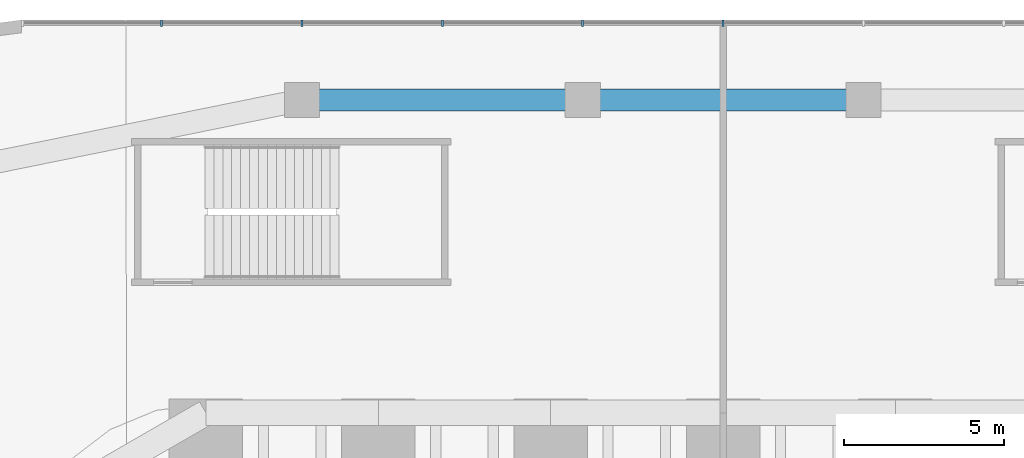
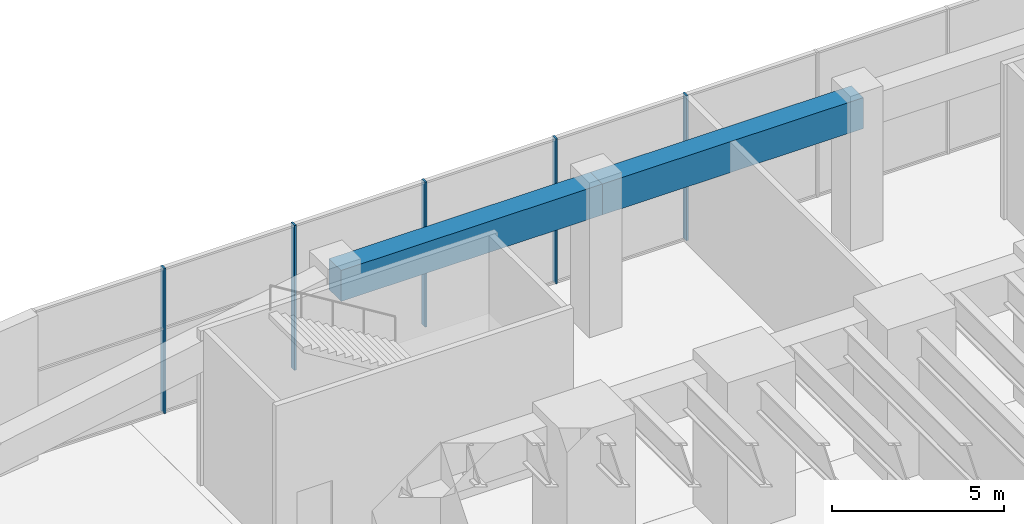
# One storey, part 18 of 31: 5 members, 2 beams, 1 element without a shape of its own.
"""IFC4 building model written with IfcOpenShell, lengths in metres."""

import ifcopenshell
import ifcopenshell.guid

model = None  # the IFC model being written
_history = None  # IfcOwnerHistory: only IFC2X3 demands one
_inside = {}  # id of a spatial element -> (the spatial element, [elements in it])
_under = {}  # id of a project, library or spatial element -> (it, [spatial elements below it])
_declared = {}  # id of a project -> (the project, [libraries it declares])
_typed = {}  # id of a type object -> (the type object, [elements of that type])
_made_of = {}  # id of a material, layer set ... -> (it, [elements and type objects made of it])


def new_model(schema):
    """Start an empty IFC model of exactly this schema.

    Asked for "IFC4X3", IfcOpenShell would pick the latest addendum, in which some entities
    have other attributes; the version numbers below select the first issue.
    IFC2X3 requires an IfcOwnerHistory on every rooted entity: one is made here for all.
    """
    global model, _history
    if schema == "IFC4X3":
        model = ifcopenshell.file(schema_version=(4, 3, 0, 0))
    else:
        model = ifcopenshell.file(schema=schema)
    _inside.clear()
    _under.clear()
    _declared.clear()
    _typed.clear()
    _made_of.clear()
    _history = None
    if model.schema == "IFC2X3":
        org = make("IfcOrganization", Name="unknown")
        user = make(
            "IfcPersonAndOrganization",
            ThePerson=make("IfcPerson", FamilyName="unknown"),
            TheOrganization=org,
        )
        app = make(
            "IfcApplication",
            ApplicationDeveloper=org,
            Version="unknown",
            ApplicationFullName="unknown",
            ApplicationIdentifier="unknown",
        )
        _history = make(
            "IfcOwnerHistory",
            OwningUser=user,
            OwningApplication=app,
            ChangeAction="ADDED",
            CreationDate=0,
        )
    return model


def make(cls, **values):
    """One entity of the class cls with the attributes given. An attribute that is None is left unset."""
    return model.create_entity(
        cls, **{name: value for name, value in values.items() if value is not None}
    )


def rooted(cls, **values):
    """An entity with a GlobalId (a new one), such as an element, a storey or a relation."""
    return make(cls, GlobalId=ifcopenshell.guid.new(), OwnerHistory=_history, **values)


def si_unit(unit_type, name, prefix=None):
    """IfcSIUnit, for example si_unit("LENGTHUNIT", "METRE", prefix="MILLI")."""
    return make("IfcSIUnit", UnitType=unit_type, Prefix=prefix, Name=name)


def assignment(units):
    """IfcUnitAssignment: the units of a project."""
    return None if units is None else make("IfcUnitAssignment", Units=units)


def point(xyz):
    """IfcCartesianPoint."""
    return None if xyz is None else make("IfcCartesianPoint", Coordinates=xyz)


def direction(xyz):
    """IfcDirection."""
    return None if xyz is None else make("IfcDirection", DirectionRatios=xyz)


def frame(location, z_axis=None, x_axis=None):
    """IfcAxis2Placement3D, a coordinate frame: its origin and axes. An axis left out is left unset."""
    return make(
        "IfcAxis2Placement3D",
        Location=point(location),
        Axis=direction(z_axis),
        RefDirection=direction(x_axis),
    )


def frame_2d(location, x_axis=None):
    """IfcAxis2Placement2D, a coordinate frame in the plane: its origin and x axis."""
    return make(
        "IfcAxis2Placement2D", Location=point(location), RefDirection=direction(x_axis)
    )


def origin():
    """The frame at (0, 0, 0) with its axes left unset."""
    return frame((0.0, 0.0, 0.0))


def origin_2d():
    """The frame at (0, 0) in the plane with its x axis left unset."""
    return frame_2d((0.0, 0.0))


def place(relative_to, where):
    """IfcLocalPlacement: puts the frame where relative to a parent placement (None: the world)."""
    return make(
        "IfcLocalPlacement", PlacementRelTo=relative_to, RelativePlacement=where
    )


def context(
    kind, dimensions, precision=None, world=None, true_north=None, identifier=None
):
    """IfcGeometricRepresentationContext, for example the 3D "Model" context."""
    return make(
        "IfcGeometricRepresentationContext",
        ContextIdentifier=identifier,
        ContextType=kind,
        CoordinateSpaceDimension=dimensions,
        Precision=precision,
        WorldCoordinateSystem=world,
        TrueNorth=true_north,
    )


def subcontext(parent, identifier, kind, view, scale=None):
    """IfcGeometricRepresentationSubContext, for example "Body" below "Model"."""
    return make(
        "IfcGeometricRepresentationSubContext",
        ContextIdentifier=identifier,
        ContextType=kind,
        ParentContext=parent,
        TargetScale=scale,
        TargetView=view,
    )


def project(units=None, contexts=None):
    """IfcProject with its units and contexts."""
    return rooted(
        "IfcProject",
        Name="project",
        RepresentationContexts=contexts,
        UnitsInContext=assignment(units),
    )


def spatial(cls, under=None, at=None, **own):
    """A site, building, storey or space (cls), placed at a placement, below another one or the project."""
    s = rooted(cls, ObjectPlacement=at, **own)
    if under is not None:
        _under.setdefault(under.id(), (under, []))[1].append(s)
    return s


def profile(cls, at=None, kind="AREA", **sizes):
    """A parametric profile (cls). Its sizes go by their IFC names, for example OverallWidth=200.0."""
    return make(cls, ProfileType=kind, Position=at, **sizes)


def rectangle(**sizes):
    """IfcRectangleProfileDef."""
    return profile("IfcRectangleProfileDef", **sizes)


def extrude(swept, where, along, depth):
    """IfcExtrudedAreaSolid: the profile swept, set in the frame where, extruded along a direction by depth."""
    return make(
        "IfcExtrudedAreaSolid",
        SweptArea=swept,
        Position=where,
        ExtrudedDirection=direction(along),
        Depth=depth,
    )


def shape(context_of_items, identifier, shape_type, items):
    """IfcShapeRepresentation: the items that make up one representation, for example the "Body"."""
    return make(
        "IfcShapeRepresentation",
        ContextOfItems=context_of_items,
        RepresentationIdentifier=identifier,
        RepresentationType=shape_type,
        Items=items,
    )


def material(Name=None, Category=None):
    """IfcMaterial."""
    return make("IfcMaterial", Name=Name, Category=Category)


def material_profile(
    of_material, cross_section, Name=None, Category=None, Priority=None
):
    """IfcMaterialProfile: a cross section and its material."""
    return make(
        "IfcMaterialProfile",
        Name=Name,
        Material=of_material,
        Profile=cross_section,
        Priority=Priority,
        Category=Category,
    )


def profile_set(profiles, Name=None, composite=None):
    """IfcMaterialProfileSet."""
    return make(
        "IfcMaterialProfileSet",
        Name=Name,
        MaterialProfiles=profiles,
        CompositeProfile=composite,
    )


def made_of(thing, what):
    """Note that an element or type object is made of a material, layer set ...; save() writes the relation."""
    if what is not None:
        _made_of.setdefault(what.id(), (what, []))[1].append(thing)
    return thing


def type_object(cls, material=None, **own):
    """A type object (cls), such as IfcWallType, which elements share."""
    return made_of(rooted(cls, **own), material)


def element(
    cls,
    number,
    at=None,
    inside=None,
    cuts=None,
    type_object=None,
    material=None,
    context=None,
    identifier="Body",
    shape_type=None,
    held_by="IfcProductDefinitionShape",
    body=None,
    shapes=None,
    **own,
):
    """One element of the class cls, such as IfcWall. Its Tag is "e" and its number.

    at: its placement. inside: the storey or other place that contains it. cuts: it is an
    opening in that element (IfcRelVoidsElement). A single representation is given by context,
    identifier, shape_type and body (its items); several are given by shapes. held_by: the class
    of the entity that holds the representations. save() writes the other relations.
    """
    e = rooted(cls, Tag="e%d" % number, ObjectPlacement=at, **own)
    if body is not None:
        shapes = [shape(context, identifier, shape_type, body)]
    if shapes is not None:
        e.Representation = make(held_by, Representations=shapes)
    if inside is not None:
        _inside.setdefault(inside.id(), (inside, []))[1].append(e)
    if cuts is not None:
        rooted(
            "IfcRelVoidsElement", RelatingBuildingElement=cuts, RelatedOpeningElement=e
        )
    if type_object is not None:
        _typed.setdefault(type_object.id(), (type_object, []))[1].append(e)
    return made_of(e, material)


def aggregate(whole, parts):
    """IfcRelAggregates: a whole, such as a stair, and the parts it consists of."""
    return rooted("IfcRelAggregates", RelatingObject=whole, RelatedObjects=parts)


def save(model, path):
    """Write the relations noted so far, then the file.

    IfcRelAggregates (storeys below a building ...), IfcRelContainedInSpatialStructure (elements
    in a storey), IfcRelDefinesByType, IfcRelAssociatesMaterial and IfcRelDeclares: one each for
    every whole, place, type object, material and project.
    """
    for whole, parts in _under.values():
        aggregate(whole, parts)
    for where, things in _inside.values():
        rooted(
            "IfcRelContainedInSpatialStructure",
            RelatedElements=things,
            RelatingStructure=where,
        )
    for kind, things in _typed.values():
        rooted("IfcRelDefinesByType", RelatedObjects=things, RelatingType=kind)
    for what, things in _made_of.values():
        rooted("IfcRelAssociatesMaterial", RelatedObjects=things, RelatingMaterial=what)
    for by, libraries in _declared.values():
        rooted("IfcRelDeclares", RelatingContext=by, RelatedDefinitions=libraries)
    model.write(path)


model = new_model("IFC4")

# Units and contexts
model_context = context("Model", 3, precision=1e-05, world=origin(), true_north=direction((0.0, 1.0)))
body_context = subcontext(model_context, "Body", "Model", "MODEL_VIEW")
ifc_project = project(units=[si_unit("LENGTHUNIT", "METRE"), si_unit("AREAUNIT", "SQUARE_METRE"), si_unit("VOLUMEUNIT", "CUBIC_METRE"), si_unit("PLANEANGLEUNIT", "RADIAN"), si_unit("MASSUNIT", "GRAM", prefix="KILO")], contexts=[model_context])

# Site, building, storey
site_placement = place(None, origin())
site = spatial("IfcSite", under=ifc_project, at=site_placement, CompositionType="ELEMENT")
building_placement = place(site_placement, origin())
building = spatial("IfcBuilding", under=site, at=building_placement, Name="Tarfa Lantern Tower", CompositionType="ELEMENT")
storey_placement = place(building_placement, frame((0.0, 0.0, 13.0)))
storey = spatial("IfcBuildingStorey", under=building, at=storey_placement, Name="L02", CompositionType="ELEMENT", Elevation=13.0)

# Curtain wall, members
ifc_material_1 = material(Name="Aluminium framed curtain wall", Category="aluminium")
curtain_wall_type = type_object("IfcCurtainWallType", Name="CW7 PODIUM GLAZING 5150", PredefinedType="USERDEFINED", material=ifc_material_1)
curtain_wall_placement = place(storey_placement, origin())
curtain_wall = element("IfcCurtainWall", 1, at=curtain_wall_placement, inside=storey, type_object=curtain_wall_type, Name="CW7 N L02", ObjectType="CURTAIN WALL", PredefinedType="USERDEFINED")
ifc_material_2 = material(Name="Aluminium mullion", Category="aluminium")
ifc_material_profile_1 = material_profile(ifc_material_2, rectangle(XDim=0.06494140625, YDim=0.199951171875, at=origin_2d()), Name="AL MULLION 65x200")
ifc_profile_set_1 = profile_set([ifc_material_profile_1], Name="Aluminium mullion")
member_type = type_object("IfcMemberType", Name="CWM1 MULLION 65x200", PredefinedType="MULLION", material=ifc_profile_set_1)
member_1_placement = place(storey_placement, frame((0.0, 45.89990234375, 0.0), z_axis=(0.0, 0.0, 1.0), x_axis=(1.0, 0.0, 0.0)))
member_1 = element("IfcMember", 2, at=member_1_placement, type_object=member_type, Name="CW7 mullion 6", PredefinedType="MULLION", context=body_context, shape_type="SweptSolid", body=[
    extrude(rectangle(XDim=0.06494140625, YDim=0.199951171875, at=origin_2d()), origin(), (0.0, 0.0, 1.0), 5.14990234375),
])
member_2_placement = place(storey_placement, frame((-4.387939453125, 45.89990234375, 0.0), z_axis=(0.0, 0.0, 1.0), x_axis=(1.0, 0.0, 0.0)))
member_2 = element("IfcMember", 3, at=member_2_placement, type_object=member_type, Name="CW7 mullion 7", PredefinedType="MULLION", context=body_context, shape_type="SweptSolid", body=[
    extrude(rectangle(XDim=0.06494140625, YDim=0.199951171875, at=origin_2d()), origin(), (0.0, 0.0, 1.0), 5.14990234375),
])
member_3_placement = place(storey_placement, frame((-8.775634765625, 45.89990234375, 0.0), z_axis=(0.0, 0.0, 1.0), x_axis=(1.0, 0.0, 0.0)))
member_3 = element("IfcMember", 4, at=member_3_placement, type_object=member_type, Name="CW7 mullion 8", PredefinedType="MULLION", context=body_context, shape_type="SweptSolid", body=[
    extrude(rectangle(XDim=0.06494140625, YDim=0.199951171875, at=origin_2d()), origin(), (0.0, 0.0, 1.0), 5.14990234375),
])
member_4_placement = place(storey_placement, frame((-13.16357421875, 45.89990234375, 0.0), z_axis=(0.0, 0.0, 1.0), x_axis=(1.0, 0.0, 0.0)))
member_4 = element("IfcMember", 5, at=member_4_placement, type_object=member_type, Name="CW7 mullion 9", PredefinedType="MULLION", context=body_context, shape_type="SweptSolid", body=[
    extrude(rectangle(XDim=0.06494140625, YDim=0.199951171875, at=origin_2d()), origin(), (0.0, 0.0, 1.0), 5.14990234375),
])
member_5_placement = place(storey_placement, frame((-17.551513671875, 45.89990234375, 0.0), z_axis=(0.0, 0.0, 1.0), x_axis=(1.0, 0.0, 0.0)))
member_5 = element("IfcMember", 6, at=member_5_placement, type_object=member_type, Name="CW7 mullion 10", PredefinedType="MULLION", context=body_context, shape_type="SweptSolid", body=[
    extrude(rectangle(XDim=0.06494140625, YDim=0.199951171875, at=origin_2d()), origin(), (0.0, 0.0, 1.0), 5.14990234375),
])
aggregate(curtain_wall, [member_1, member_2, member_3, member_4, member_5])

# Beams
ifc_material_3 = material(Name="Concrete C80/95", Category="concrete")
ifc_material_profile_2 = material_profile(ifc_material_3, rectangle(XDim=0.699951171875, YDim=1.10009765625, at=origin_2d()), Name="RC 700x1100")
ifc_profile_set_2 = profile_set([ifc_material_profile_2], Name="Concrete C80/95")
beam_type = type_object("IfcBeamType", Name="PB1 RC 700x1100", PredefinedType="BEAM", material=ifc_profile_set_2)
beam_1_placement = place(storey_placement, frame((4.387939453125, 43.5, 4.60009765625), z_axis=(-1.0, 0.0, 0.0), x_axis=(0.0, -1.0, 0.0)))
element("IfcBeam", 7, at=beam_1_placement, inside=storey, type_object=beam_type, Name="Podium ring beam N2", PredefinedType="BEAM", context=body_context, shape_type="SweptSolid", body=[
    extrude(rectangle(XDim=0.699951171875, YDim=1.10009765625, at=origin_2d()), origin(), (0.0, 0.0, 1.0), 8.77587890625),
])
beam_2_placement = place(storey_placement, frame((-4.387939453125, 43.5, 4.60009765625), z_axis=(-1.0, 0.0, 0.0), x_axis=(0.0, -1.0, 0.0)))
element("IfcBeam", 8, at=beam_2_placement, inside=storey, type_object=beam_type, Name="Podium ring beam N3", PredefinedType="BEAM", context=body_context, shape_type="SweptSolid", body=[
    extrude(rectangle(XDim=0.699951171875, YDim=1.10009765625, at=origin_2d()), origin(), (0.0, 0.0, 1.0), 8.775634765625),
])

save(model, "model.ifc")
